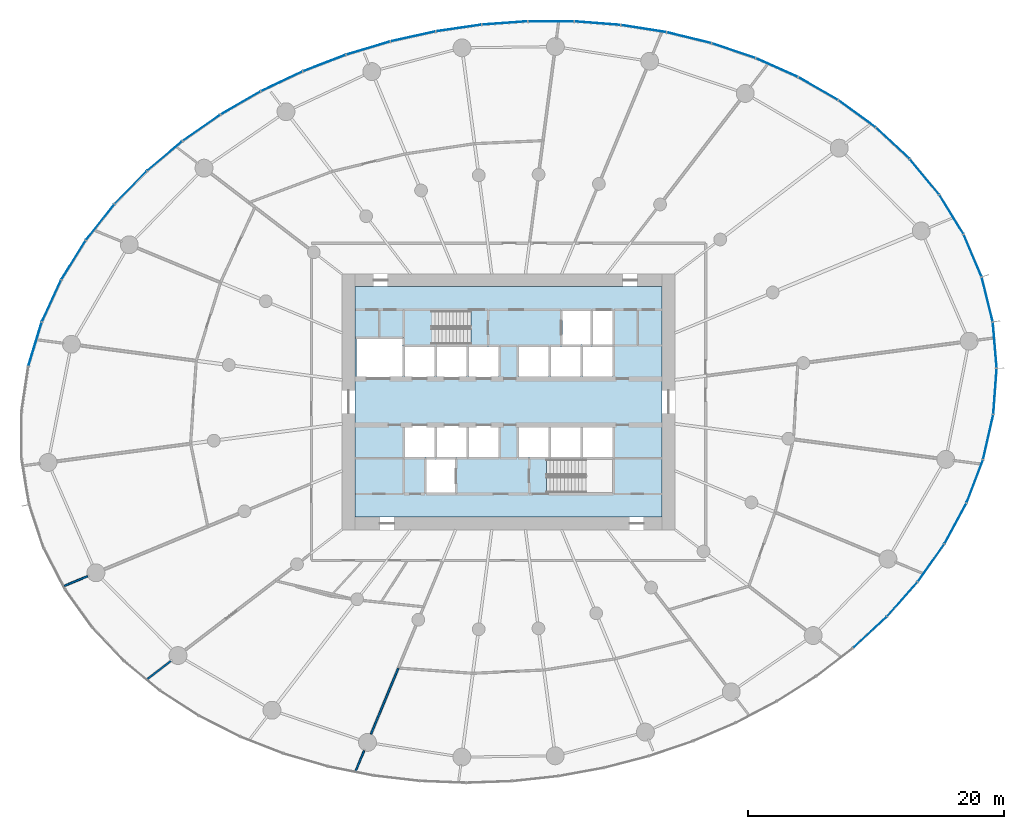
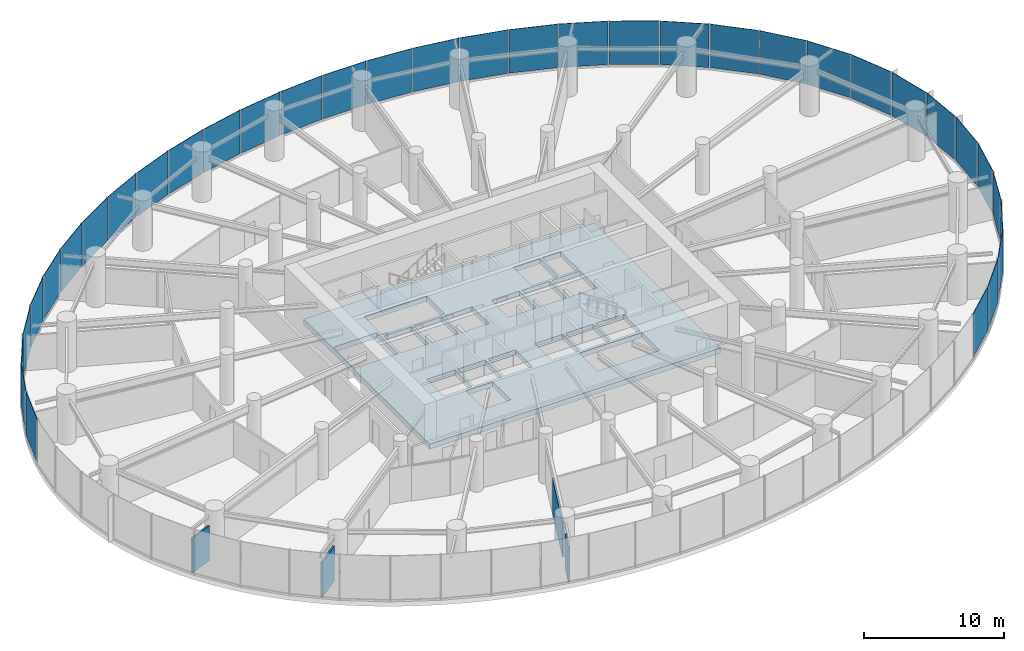
# One storey, part 11 of 19: 35 plates, 4 walls, 2 slabs, 8 elements without a shape of their own.
"""IFC4 building model written with IfcOpenShell, lengths in metres."""

from ifc_helpers import new_model, si_unit, direction, frame, frame_2d, origin, origin_2d, place, context, subcontext, project, spatial, line, indexed_curve, rectangle, outline, extrude, source, transform, mapped, material, layer, layer_set, type_object, element, aggregate, save


model = new_model("IFC4")

# Units and contexts
model_context = context("Model", 3, precision=1e-05, world=origin(), true_north=direction((0.0, 1.0)))
body_context = subcontext(model_context, "Body", "Model", "MODEL_VIEW")
ifc_project = project(units=[si_unit("LENGTHUNIT", "METRE"), si_unit("AREAUNIT", "SQUARE_METRE"), si_unit("VOLUMEUNIT", "CUBIC_METRE"), si_unit("PLANEANGLEUNIT", "RADIAN"), si_unit("MASSUNIT", "GRAM", prefix="KILO")], contexts=[model_context])

# Site, building, storey
site_placement = place(None, origin())
site = spatial("IfcSite", under=ifc_project, at=site_placement, CompositionType="ELEMENT")
building_placement = place(site_placement, origin())
building = spatial("IfcBuilding", under=site, at=building_placement, Name="Spindrift Exchange Tower", CompositionType="ELEMENT")
storey_placement = place(building_placement, frame((0.0, 0.0, 53.39990234375)))
storey = spatial("IfcBuildingStorey", under=building, at=storey_placement, Name="L12", CompositionType="ELEMENT", Elevation=53.39990234375)

# Slab
ifc_material_1 = material(Name="Concrete 50 MPa", Category="concrete")
ifc_layer_1 = layer(ifc_material_1, 0.449951171875)
ifc_layer_set_1 = layer_set([ifc_layer_1], Name="SL-CORE-FLOOR-450")
slab_type_1 = type_object("IfcSlabType", Name="SL-CORE-FLOOR-450", PredefinedType="FLOOR", material=ifc_layer_set_1)
slab_1_placement = place(storey_placement, frame((0.0, 0.0, -0.449951171875)))
element("IfcSlab", 1, at=slab_1_placement, inside=storey, type_object=slab_type_1, Name="L12 Core floor slab", PredefinedType="FLOOR", context=body_context, shape_type="SweptSolid", body=[
    extrude(outline(indexed_curve([(40.0, 39.0), (40.0, 57.0), (64.0, 57.0), (64.0, 39.0)], segments=[line(1, 2, 3, 4, 1)], self_intersect=False), holes=[indexed_curve([(47.800048828125, 43.5), (45.60009765625, 43.5), (45.60009765625, 40.89990234375), (47.800048828125, 40.89990234375)], segments=[line(1, 2, 3, 4, 1)], self_intersect=False), indexed_curve([(46.199951171875, 46.10009765625), (43.89990234375, 46.10009765625), (43.89990234375, 43.699951171875), (46.199951171875, 43.699951171875)], segments=[line(1, 2, 3, 4, 1)], self_intersect=False), indexed_curve([(48.699951171875, 46.10009765625), (46.39990234375, 46.10009765625), (46.39990234375, 43.699951171875), (48.699951171875, 43.699951171875)], segments=[line(1, 2, 3, 4, 1)], self_intersect=False), indexed_curve([(51.199951171875, 46.10009765625), (48.89990234375, 46.10009765625), (48.89990234375, 43.699951171875), (51.199951171875, 43.699951171875)], segments=[line(1, 2, 3, 4, 1)], self_intersect=False), indexed_curve([(46.199951171875, 52.300048828125), (43.89990234375, 52.300048828125), (43.89990234375, 49.89990234375), (46.199951171875, 49.89990234375)], segments=[line(1, 2, 3, 4, 1)], self_intersect=False), indexed_curve([(48.699951171875, 52.300048828125), (46.39990234375, 52.300048828125), (46.39990234375, 49.89990234375), (48.699951171875, 49.89990234375)], segments=[line(1, 2, 3, 4, 1)], self_intersect=False), indexed_curve([(51.199951171875, 52.300048828125), (48.89990234375, 52.300048828125), (48.89990234375, 49.89990234375), (51.199951171875, 49.89990234375)], segments=[line(1, 2, 3, 4, 1)], self_intersect=False), indexed_curve([(43.699951171875, 49.89990234375), (43.699951171875, 52.89990234375), (40.10009765625, 52.89990234375), (40.10009765625, 49.89990234375)], segments=[line(1, 2, 3, 4, 1)], self_intersect=False), indexed_curve([(49.0439453125, 55.093994140625), (43.906005859375, 55.093994140625), (43.906005859375, 52.506103515625), (49.0439453125, 52.506103515625)], segments=[line(1, 2, 3, 4, 1)], self_intersect=False), indexed_curve([(60.093994140625, 40.906005859375), (60.093994140625, 43.493896484375), (54.9560546875, 43.493896484375), (54.9560546875, 40.906005859375)], segments=[line(1, 2, 3, 4, 1)], self_intersect=False), indexed_curve([(55.10009765625, 46.10009765625), (52.800048828125, 46.10009765625), (52.800048828125, 43.699951171875), (55.10009765625, 43.699951171875)], segments=[line(1, 2, 3, 4, 1)], self_intersect=False), indexed_curve([(57.60009765625, 46.10009765625), (55.300048828125, 46.10009765625), (55.300048828125, 43.699951171875), (57.60009765625, 43.699951171875)], segments=[line(1, 2, 3, 4, 1)], self_intersect=False), indexed_curve([(60.10009765625, 46.10009765625), (57.800048828125, 46.10009765625), (57.800048828125, 43.699951171875), (60.10009765625, 43.699951171875)], segments=[line(1, 2, 3, 4, 1)], self_intersect=False), indexed_curve([(55.10009765625, 52.300048828125), (52.800048828125, 52.300048828125), (52.800048828125, 49.89990234375), (55.10009765625, 49.89990234375)], segments=[line(1, 2, 3, 4, 1)], self_intersect=False), indexed_curve([(57.60009765625, 52.300048828125), (55.300048828125, 52.300048828125), (55.300048828125, 49.89990234375), (57.60009765625, 49.89990234375)], segments=[line(1, 2, 3, 4, 1)], self_intersect=False), indexed_curve([(60.10009765625, 52.300048828125), (57.800048828125, 52.300048828125), (57.800048828125, 49.89990234375), (60.10009765625, 49.89990234375)], segments=[line(1, 2, 3, 4, 1)], self_intersect=False), indexed_curve([(58.39990234375, 52.5), (58.39990234375, 55.10009765625), (56.199951171875, 55.10009765625), (56.199951171875, 52.5)], segments=[line(1, 2, 3, 4, 1)], self_intersect=False), indexed_curve([(60.10009765625, 52.5), (60.10009765625, 55.10009765625), (58.60009765625, 55.10009765625), (58.60009765625, 52.5)], segments=[line(1, 2, 3, 4, 1)], self_intersect=False)]), origin(), (0.0, 0.0, 1.0), 0.449951171875),
])

# Stair, slab
stair_type = type_object("IfcStairType", Name="ST-1250-R183", PredefinedType="HALF_TURN_STAIR", material=ifc_material_1)
stair_placement = place(storey_placement, origin())
stair = element("IfcStair", 2, at=stair_placement, inside=storey, type_object=stair_type, Name="L12 Exit stair ST1", PredefinedType="HALF_TURN_STAIR")
ifc_layer_2 = layer(ifc_material_1, 0.199951171875)
ifc_layer_set_2 = layer_set([ifc_layer_2], Name="SL-LANDING")
slab_type_2 = type_object("IfcSlabType", Name="SL-LANDING", PredefinedType="LANDING", material=ifc_layer_set_2)
slab_2_placement = place(storey_placement, frame((0.0, 0.0, 2.0)))
slab_2 = element("IfcSlab", 3, at=slab_2_placement, type_object=slab_type_2, Name="ST1 landing 1", PredefinedType="LANDING", context=body_context, shape_type="SweptSolid", body=[
    extrude(outline(indexed_curve([(46.050048828125, 52.39990234375), (43.800048828125, 52.39990234375), (43.800048828125, 55.199951171875), (46.050048828125, 55.199951171875)], segments=[line(1, 2, 3, 4, 1)], self_intersect=False)), origin(), (0.0, 0.0, 1.0), 0.2001953125),
])
aggregate(stair, [slab_2])

# Curtain wall, plate
ifc_material_2 = material(Name="Fritted laminated glass with bronze frame", Category="glass")
ifc_layer_3 = layer(ifc_material_2, 0.199951171875)
ifc_layer_set_3 = layer_set([ifc_layer_3], Name="ZONE 1 BRONZE FRITTED WALL")
curtain_wall_type = type_object("IfcCurtainWallType", Name="ZONE 1 BRONZE FRITTED WALL", PredefinedType="NOTDEFINED", material=ifc_layer_set_3)
curtain_wall_1_placement = place(storey_placement, origin())
curtain_wall_1 = element("IfcCurtainWall", 4, at=curtain_wall_1_placement, inside=storey, type_object=curtain_wall_type, Name="L12 Zone 1 Bronze Fritted Wall run 5", PredefinedType="NOTDEFINED")
ifc_material_3 = material(Name="Bronze fritted laminated glass, dense frit", Category="glass")
ifc_layer_4 = layer(ifc_material_3, 0.035888671875)
ifc_layer_set_4 = layer_set([ifc_layer_4], Name="ZONE 1 BRONZE FRITTED WALL PANEL DENSE FRIT 180")
plate_type_1 = type_object("IfcPlateType", Name="ZONE 1 BRONZE FRITTED WALL PANEL DENSE FRIT 180", PredefinedType="CURTAIN_PANEL", material=ifc_layer_set_4)
shared_shape_1 = source(origin(), body_context, "Body", "SweptSolid", [
    extrude(rectangle(XDim=3.5458984375, YDim=0.035888671875, at=origin_2d()), origin(), (0.0, 0.0, 1.0), 3.800048828125),
])
plate_1_placement = place(storey_placement, frame((17.989501953125, 59.07080078125, 0.14990234375), z_axis=(0.0, 0.0, 1.0), x_axis=(-0.527683923122, -0.849440802692, 0.0)))
plate_1 = element("IfcPlate", 5, at=plate_1_placement, type_object=plate_type_1, Name="L12 panel CW-1.25", PredefinedType="CURTAIN_PANEL", context=body_context, shape_type="MappedRepresentation", body=[
    mapped(shared_shape_1, transform((0.0, 0.0, 0.0), scale=1.0)),
])

curtain_wall_2_placement = place(storey_placement, origin())
curtain_wall_2 = element("IfcCurtainWall", 6, at=curtain_wall_2_placement, inside=storey, type_object=curtain_wall_type, Name="L12 Zone 1 Bronze Fritted Wall run 10", PredefinedType="NOTDEFINED")
plate_2_placement = place(storey_placement, frame((86.91748046875, 38.49609375, 0.14990234375), z_axis=(0.0, 0.0, 1.0), x_axis=(0.474896325387, 0.880041749086, 0.0)))
plate_2 = element("IfcPlate", 7, at=plate_2_placement, type_object=plate_type_1, Name="L12 panel CW-1.55", PredefinedType="CURTAIN_PANEL", context=body_context, shape_type="MappedRepresentation", body=[
    mapped(shared_shape_1, transform((0.0, 0.0, 0.0), scale=1.0)),
])

curtain_wall_3_placement = place(storey_placement, origin())
curtain_wall_3 = element("IfcCurtainWall", 8, at=curtain_wall_3_placement, inside=storey, type_object=curtain_wall_type, Name="L12 Zone 1 Bronze Fritted Wall run 9", PredefinedType="NOTDEFINED")
ifc_layer_5 = layer(ifc_material_3, 0.035888671875)
ifc_layer_set_5 = layer_set([ifc_layer_5], Name="ZONE 1 BRONZE FRITTED WALL PANEL DENSE FRIT 300")
plate_type_2 = type_object("IfcPlateType", Name="ZONE 1 BRONZE FRITTED WALL PANEL DENSE FRIT 300", PredefinedType="CURTAIN_PANEL", material=ifc_layer_set_5)
shared_shape_2 = source(origin(), body_context, "Body", "SweptSolid", [
    extrude(rectangle(XDim=3.54638671875, YDim=0.035888671875, at=origin_2d()), origin(), (0.0, 0.0, 1.0), 3.800048828125),
])
plate_3_placement = place(storey_placement, frame((85.011474609375, 35.418701171875, 0.14990234375), z_axis=(0.0, 0.0, 1.0), x_axis=(0.576349594377, 0.817203245871, 0.0)))
plate_3 = element("IfcPlate", 9, at=plate_3_placement, type_object=plate_type_2, Name="L12 panel CW-1.54", PredefinedType="CURTAIN_PANEL", context=body_context, shape_type="MappedRepresentation", body=[
    mapped(shared_shape_2, transform((0.0, 0.0, 0.0), scale=1.0)),
])

curtain_wall_4_placement = place(storey_placement, origin())
curtain_wall_4 = element("IfcCurtainWall", 10, at=curtain_wall_4_placement, inside=storey, type_object=curtain_wall_type, Name="L12 Zone 1 Bronze Fritted Wall run 4", PredefinedType="NOTDEFINED")
shared_shape_3 = source(origin(), body_context, "Body", "SweptSolid", [
    extrude(rectangle(XDim=3.546875, YDim=0.035888671875, at=origin_2d()), origin(), (0.0, 0.0, 1.0), 3.800048828125),
])
plate_4_placement = place(storey_placement, frame((25.124267578125, 67.2109375, 0.14990234375), z_axis=(0.0, 0.0, 1.0), x_axis=(-0.765522518547, -0.643409102825, 0.0)))
plate_4 = element("IfcPlate", 11, at=plate_4_placement, type_object=plate_type_2, Name="L12 panel CW-1.22", PredefinedType="CURTAIN_PANEL", context=body_context, shape_type="MappedRepresentation", body=[
    mapped(shared_shape_3, transform((0.0, 0.0, 0.0), scale=1.0)),
])

# Plate
plate_5_placement = place(storey_placement, frame((80.23388671875, 29.988037109375, 0.14990234375), z_axis=(0.0, 0.0, 1.0), x_axis=(0.734115147297, 0.679024999914, 0.0)))
plate_5 = element("IfcPlate", 12, at=plate_5_placement, type_object=plate_type_2, Name="L12 panel CW-1.52", PredefinedType="CURTAIN_PANEL", context=body_context, shape_type="MappedRepresentation", body=[
    mapped(shared_shape_3, transform((0.0, 0.0, 0.0), scale=1.0)),
])

# Curtain wall, plate
curtain_wall_5_placement = place(storey_placement, origin())
curtain_wall_5 = element("IfcCurtainWall", 13, at=curtain_wall_5_placement, inside=storey, type_object=curtain_wall_type, Name="L12 Zone 1 Bronze Fritted Wall run 2", PredefinedType="NOTDEFINED")
ifc_layer_6 = layer(ifc_material_3, 0.035888671875)
ifc_layer_set_6 = layer_set([ifc_layer_6], Name="ZONE 1 BRONZE FRITTED WALL PANEL DENSE FRIT 420")
plate_type_3 = type_object("IfcPlateType", Name="ZONE 1 BRONZE FRITTED WALL PANEL DENSE FRIT 420", PredefinedType="CURTAIN_PANEL", material=ifc_layer_set_6)
shared_shape_4 = source(origin(), body_context, "Body", "SweptSolid", [
    extrude(rectangle(XDim=3.547119140625, YDim=0.035888671875, at=origin_2d()), origin(), (0.0, 0.0, 1.0), 3.800048828125),
])
plate_6_placement = place(storey_placement, frame((66.1025390625, 76.45361328125, 0.14990234375), z_axis=(0.0, 0.0, 1.0), x_axis=(-0.971579700575, 0.236712664281, 0.0)))
plate_6 = element("IfcPlate", 14, at=plate_6_placement, type_object=plate_type_3, Name="L12 panel CW-1.10", PredefinedType="CURTAIN_PANEL", context=body_context, shape_type="MappedRepresentation", body=[
    mapped(shared_shape_4, transform((0.0, 0.0, 0.0), scale=1.0)),
])

# Plate
plate_7_placement = place(storey_placement, frame((31.05810546875, 71.359619140625, 0.14990234375), z_axis=(0.0, 0.0, 1.0), x_axis=(-0.865787941428, -0.500411071498, 0.0)))
plate_7 = element("IfcPlate", 15, at=plate_7_placement, type_object=plate_type_3, Name="L12 panel CW-1.20", PredefinedType="CURTAIN_PANEL", context=body_context, shape_type="MappedRepresentation", body=[
    mapped(shared_shape_4, transform((0.0, 0.0, 0.0), scale=1.0)),
])

# Curtain wall, plates
curtain_wall_6_placement = place(storey_placement, origin())
curtain_wall_6 = element("IfcCurtainWall", 16, at=curtain_wall_6_placement, inside=storey, type_object=curtain_wall_type, Name="L12 Zone 1 Bronze Fritted Wall run 3", PredefinedType="NOTDEFINED")
shared_shape_5 = source(origin(), body_context, "Body", "SweptSolid", [
    extrude(rectangle(XDim=3.54736328125, YDim=0.035888671875, at=origin_2d()), origin(), (0.0, 0.0, 1.0), 3.800048828125),
])
plate_8_placement = place(storey_placement, frame((41.0283203125, 75.64501953125, 0.14990234375), z_axis=(0.0, 0.0, 1.0), x_axis=(-0.9577954075, -0.287450791217, 0.0)))
plate_8 = element("IfcPlate", 17, at=plate_8_placement, type_object=plate_type_2, Name="L12 panel CW-1.17", PredefinedType="CURTAIN_PANEL", context=body_context, shape_type="MappedRepresentation", body=[
    mapped(shared_shape_5, transform((0.0, 0.0, 0.0), scale=1.0)),
])
plate_9_placement = place(storey_placement, frame((37.597900390625, 74.473876953125, 0.14990234375), z_axis=(0.0, 0.0, 1.0), x_axis=(-0.933604192306, -0.358306031359, 0.0)))
plate_9 = element("IfcPlate", 18, at=plate_9_placement, type_object=plate_type_2, Name="L12 panel CW-1.18", PredefinedType="CURTAIN_PANEL", context=body_context, shape_type="MappedRepresentation", body=[
    mapped(shared_shape_5, transform((0.0, 0.0, 0.0), scale=1.0)),
])
shared_shape_6 = source(origin(), body_context, "Body", "SweptSolid", [
    extrude(rectangle(XDim=3.54736328125, YDim=0.035888671875, at=origin_2d()), origin(), (0.0, 0.0, 1.0), 3.800048828125),
])
plate_10_placement = place(storey_placement, frame((51.705078125, 77.60693359375, 0.14990234375), z_axis=(0.0, 0.0, 1.0), x_axis=(-0.997398054056, -0.072091065773, 0.0)))
plate_10 = element("IfcPlate", 19, at=plate_10_placement, type_object=plate_type_1, Name="L12 panel CW-1.14", PredefinedType="CURTAIN_PANEL", context=body_context, shape_type="MappedRepresentation", body=[
    mapped(shared_shape_6, transform((0.0, 0.0, 0.0), scale=1.0)),
])

# Plate
shared_shape_7 = source(origin(), body_context, "Body", "SweptSolid", [
    extrude(rectangle(XDim=3.54736328125, YDim=0.035888671875, at=origin_2d()), origin(), (0.0, 0.0, 1.0), 3.800048828125),
])
plate_11_placement = place(storey_placement, frame((62.549072265625, 77.165771484375, 0.14990234375), z_axis=(0.0, 0.0, 1.0), x_axis=(-0.987772291015, 0.155903499327, 0.0)))
plate_11 = element("IfcPlate", 20, at=plate_11_placement, type_object=plate_type_3, Name="L12 panel CW-1.11", PredefinedType="CURTAIN_PANEL", context=body_context, shape_type="MappedRepresentation", body=[
    mapped(shared_shape_7, transform((0.0, 0.0, 0.0), scale=1.0)),
])

plate_12_placement = place(storey_placement, frame((58.94970703125, 77.589599609375, 0.14990234375), z_axis=(0.0, 0.0, 1.0), x_axis=(-0.996969014732, 0.077799637946, 0.0)))
plate_12 = element("IfcPlate", 21, at=plate_12_placement, type_object=plate_type_3, Name="L12 panel CW-1.12", PredefinedType="CURTAIN_PANEL", context=body_context, shape_type="MappedRepresentation", body=[
    mapped(shared_shape_7, transform((0.0, 0.0, 0.0), scale=1.0)),
])

plate_13_placement = place(storey_placement, frame((55.32763671875, 77.734130859375, 0.14990234375), z_axis=(0.0, 0.0, 1.0), x_axis=(-0.999998136906, 0.001930332954, 0.0)))
plate_13 = element("IfcPlate", 22, at=plate_13_placement, type_object=plate_type_3, Name="L12 panel CW-1.13", PredefinedType="CURTAIN_PANEL", context=body_context, shape_type="MappedRepresentation", body=[
    mapped(shared_shape_7, transform((0.0, 0.0, 0.0), scale=1.0)),
])

plate_14_placement = place(storey_placement, frame((44.5361328125, 76.558837890625, 0.14990234375), z_axis=(0.0, 0.0, 1.0), x_axis=(-0.976314136097, -0.216357823196, 0.0)))
plate_14 = element("IfcPlate", 23, at=plate_14_placement, type_object=plate_type_3, Name="L12 panel CW-1.16", PredefinedType="CURTAIN_PANEL", context=body_context, shape_type="MappedRepresentation", body=[
    mapped(shared_shape_7, transform((0.0, 0.0, 0.0), scale=1.0)),
])

plate_15_placement = place(storey_placement, frame((34.2666015625, 73.04541015625, 0.14990234375), z_axis=(0.0, 0.0, 1.0), x_axis=(-0.903201992592, -0.429215750616, 0.0)))
plate_15 = element("IfcPlate", 24, at=plate_15_placement, type_object=plate_type_3, Name="L12 panel CW-1.19", PredefinedType="CURTAIN_PANEL", context=body_context, shape_type="MappedRepresentation", body=[
    mapped(shared_shape_7, transform((0.0, 0.0, 0.0), scale=1.0)),
])

shared_shape_8 = source(origin(), body_context, "Body", "SweptSolid", [
    extrude(rectangle(XDim=3.547119140625, YDim=0.035888671875, at=origin_2d()), origin(), (0.0, 0.0, 1.0), 3.800048828125),
])
plate_16_placement = place(storey_placement, frame((28.000244140625, 69.414794921875, 0.14990234375), z_axis=(0.0, 0.0, 1.0), x_axis=(-0.820341561532, -0.571873869331, 0.0)))
plate_16 = element("IfcPlate", 25, at=plate_16_placement, type_object=plate_type_1, Name="L12 panel CW-1.21", PredefinedType="CURTAIN_PANEL", context=body_context, shape_type="MappedRepresentation", body=[
    mapped(shared_shape_8, transform((0.0, 0.0, 0.0), scale=1.0)),
])

shared_shape_9 = source(origin(), body_context, "Body", "SweptSolid", [
    extrude(rectangle(XDim=3.546875, YDim=0.035888671875, at=origin_2d()), origin(), (0.0, 0.0, 1.0), 3.800048828125),
])
plate_17_placement = place(storey_placement, frame((72.956298828125, 74.123291015625, 0.14990234375), z_axis=(0.0, 0.0, 1.0), x_axis=(-0.913257013232, 0.407383882576, 0.0)))
plate_17 = element("IfcPlate", 26, at=plate_17_placement, type_object=plate_type_3, Name="L12 panel CW-1.8", PredefinedType="CURTAIN_PANEL", context=body_context, shape_type="MappedRepresentation", body=[
    mapped(shared_shape_9, transform((0.0, 0.0, 0.0), scale=1.0)),
])

shared_shape_10 = source(origin(), body_context, "Body", "SweptSolid", [
    extrude(rectangle(XDim=3.546630859375, YDim=0.035888671875, at=origin_2d()), origin(), (0.0, 0.0, 1.0), 3.800048828125),
])
plate_18_placement = place(storey_placement, frame((76.185791015625, 72.48291015625, 0.14990234375), z_axis=(0.0, 0.0, 1.0), x_axis=(-0.867674363563, 0.497132979007, 0.0)))
plate_18 = element("IfcPlate", 27, at=plate_18_placement, type_object=plate_type_1, Name="L12 panel CW-1.7", PredefinedType="CURTAIN_PANEL", context=body_context, shape_type="MappedRepresentation", body=[
    mapped(shared_shape_10, transform((0.0, 0.0, 0.0), scale=1.0)),
])

shared_shape_11 = source(origin(), body_context, "Body", "SweptSolid", [
    extrude(rectangle(XDim=3.545654296875, YDim=0.035888671875, at=origin_2d()), origin(), (0.0, 0.0, 1.0), 3.800048828125),
])
plate_19_placement = place(storey_placement, frame((16.275146484375, 55.884033203125, 0.14990234375), z_axis=(0.0, 0.0, 1.0), x_axis=(-0.417940012166, -0.90847462608, 0.0)))
plate_19 = element("IfcPlate", 28, at=plate_19_placement, type_object=plate_type_1, Name="L12 panel CW-1.26", PredefinedType="CURTAIN_PANEL", context=body_context, shape_type="MappedRepresentation", body=[
    mapped(shared_shape_11, transform((0.0, 0.0, 0.0), scale=1.0)),
])

# Curtain wall, plate
curtain_wall_7_placement = place(storey_placement, origin())
curtain_wall_7 = element("IfcCurtainWall", 29, at=curtain_wall_7_placement, inside=storey, type_object=curtain_wall_type, Name="L12 Zone 1 Bronze Fritted Wall run 1", PredefinedType="NOTDEFINED")
shared_shape_12 = source(origin(), body_context, "Body", "SweptSolid", [
    extrude(rectangle(XDim=3.54443359375, YDim=0.035888671875, at=origin_2d()), origin(), (0.0, 0.0, 1.0), 3.800048828125),
])
plate_20_placement = place(storey_placement, frame((89.402587890625, 55.998291015625, 0.14990234375), z_axis=(0.0, 0.0, 1.0), x_axis=(-0.240756603434, 0.97058552323, 0.0)))
plate_20 = element("IfcPlate", 30, at=plate_20_placement, type_object=plate_type_2, Name="L12 panel CW-1.1", PredefinedType="CURTAIN_PANEL", context=body_context, shape_type="MappedRepresentation", body=[
    mapped(shared_shape_12, transform((0.0, 0.0, 0.0), scale=1.0)),
])

# Plate
plate_21_placement = place(storey_placement, frame((89.990478515625, 52.43359375, 0.14990234375), z_axis=(0.0, 0.0, 1.0), x_axis=(-0.083599578708, 0.996499428219, 0.0)))
plate_21 = element("IfcPlate", 31, at=plate_21_placement, type_object=plate_type_2, Name="L12 panel CW-1.59", PredefinedType="CURTAIN_PANEL", context=body_context, shape_type="MappedRepresentation", body=[
    mapped(shared_shape_12, transform((0.0, 0.0, 0.0), scale=1.0)),
])

shared_shape_13 = source(origin(), body_context, "Body", "SweptSolid", [
    extrude(rectangle(XDim=3.544921875, YDim=0.035888671875, at=origin_2d()), origin(), (0.0, 0.0, 1.0), 3.800048828125),
])
plate_22_placement = place(storey_placement, frame((86.605712890625, 62.639892578125, 0.14990234375), z_axis=(0.0, 0.0, 1.0), x_axis=(-0.523260282562, 0.852172914785, 0.0)))
plate_22 = element("IfcPlate", 32, at=plate_22_placement, type_object=plate_type_3, Name="L12 panel CW-1.3", PredefinedType="CURTAIN_PANEL", context=body_context, shape_type="MappedRepresentation", body=[
    mapped(shared_shape_13, transform((0.0, 0.0, 0.0), scale=1.0)),
])

plate_23_placement = place(storey_placement, frame((89.473876953125, 45.24560546875, 0.14990234375), z_axis=(0.0, 0.0, 1.0), x_axis=(0.221956947777, 0.975056466741, 0.0)))
plate_23 = element("IfcPlate", 33, at=plate_23_placement, type_object=plate_type_3, Name="L12 panel CW-1.57", PredefinedType="CURTAIN_PANEL", context=body_context, shape_type="MappedRepresentation", body=[
    mapped(shared_shape_13, transform((0.0, 0.0, 0.0), scale=1.0)),
])

shared_shape_14 = source(origin(), body_context, "Body", "SweptSolid", [
    extrude(rectangle(XDim=3.545166015625, YDim=0.035888671875, at=origin_2d()), origin(), (0.0, 0.0, 1.0), 3.800048828125),
])
plate_24_placement = place(storey_placement, frame((14.989501953125, 52.503173828125, 0.14990234375), z_axis=(0.0, 0.0, 1.0), x_axis=(-0.291293302052, -0.956633792096, 0.0)))
plate_24 = element("IfcPlate", 34, at=plate_24_placement, type_object=plate_type_2, Name="L12 panel CW-1.27", PredefinedType="CURTAIN_PANEL", context=body_context, shape_type="MappedRepresentation", body=[
    mapped(shared_shape_14, transform((0.0, 0.0, 0.0), scale=1.0)),
])

aggregate(curtain_wall_1, [plate_1, plate_19, plate_24])

shared_shape_15 = source(origin(), body_context, "Body", "SweptSolid", [
    extrude(rectangle(XDim=3.5458984375, YDim=0.035888671875, at=origin_2d()), origin(), (0.0, 0.0, 1.0), 3.800048828125),
])
plate_25_placement = place(storey_placement, frame((82.017578125, 68.21142578125, 0.14990234375), z_axis=(0.0, 0.0, 1.0), x_axis=(-0.732317122925, 0.680963751951, 0.0)))
plate_25 = element("IfcPlate", 35, at=plate_25_placement, type_object=plate_type_3, Name="L12 panel CW-1.5", PredefinedType="CURTAIN_PANEL", context=body_context, shape_type="MappedRepresentation", body=[
    mapped(shared_shape_15, transform((0.0, 0.0, 0.0), scale=1.0)),
])

shared_shape_16 = source(origin(), body_context, "Body", "SweptSolid", [
    extrude(rectangle(XDim=3.546875, YDim=0.035888671875, at=origin_2d()), origin(), (0.0, 0.0, 1.0), 3.800048828125),
])
plate_26_placement = place(storey_placement, frame((69.58251953125, 75.443115234375, 0.14990234375), z_axis=(0.0, 0.0, 1.0), x_axis=(-0.94725111905, 0.320492304836, 0.0)))
plate_26 = element("IfcPlate", 36, at=plate_26_placement, type_object=plate_type_1, Name="L12 panel CW-1.9", PredefinedType="CURTAIN_PANEL", context=body_context, shape_type="MappedRepresentation", body=[
    mapped(shared_shape_16, transform((0.0, 0.0, 0.0), scale=1.0)),
])

aggregate(curtain_wall_5, [plate_18, plate_17, plate_26, plate_6, plate_11, plate_12])

shared_shape_17 = source(origin(), body_context, "Body", "SweptSolid", [
    extrude(rectangle(XDim=3.544677734375, YDim=0.035888671875, at=origin_2d()), origin(), (0.0, 0.0, 1.0), 3.800048828125),
])
plate_27_placement = place(storey_placement, frame((88.26025390625, 59.42626953125, 0.14990234375), z_axis=(0.0, 0.0, 1.0), x_axis=(-0.389636769018, 0.920968614139, 0.0)))
plate_27 = element("IfcPlate", 37, at=plate_27_placement, type_object=plate_type_2, Name="L12 panel CW-1.2", PredefinedType="CURTAIN_PANEL", context=body_context, shape_type="MappedRepresentation", body=[
    mapped(shared_shape_17, transform((0.0, 0.0, 0.0), scale=1.0)),
])

shared_shape_18 = source(origin(), body_context, "Body", "SweptSolid", [
    extrude(rectangle(XDim=3.54541015625, YDim=0.035888671875, at=origin_2d()), origin(), (0.0, 0.0, 1.0), 3.800048828125),
])
plate_28_placement = place(storey_placement, frame((84.501220703125, 65.580810546875, 0.14990234375), z_axis=(0.0, 0.0, 1.0), x_axis=(-0.637756095935, 0.770238380047, 0.0)))
plate_28 = element("IfcPlate", 38, at=plate_28_placement, type_object=plate_type_3, Name="L12 panel CW-1.4", PredefinedType="CURTAIN_PANEL", context=body_context, shape_type="MappedRepresentation", body=[
    mapped(shared_shape_18, transform((0.0, 0.0, 0.0), scale=1.0)),
])

plate_29_placement = place(storey_placement, frame((88.425048828125, 41.784912109375, 0.14990234375), z_axis=(0.0, 0.0, 1.0), x_axis=(0.35670701973, 0.934216303687, 0.0)))
plate_29 = element("IfcPlate", 39, at=plate_29_placement, type_object=plate_type_3, Name="L12 panel CW-1.56", PredefinedType="CURTAIN_PANEL", context=body_context, shape_type="MappedRepresentation", body=[
    mapped(shared_shape_18, transform((0.0, 0.0, 0.0), scale=1.0)),
])

shared_shape_19 = source(origin(), body_context, "Body", "SweptSolid", [
    extrude(rectangle(XDim=3.54638671875, YDim=0.035888671875, at=origin_2d()), origin(), (0.0, 0.0, 1.0), 3.800048828125),
])
plate_30_placement = place(storey_placement, frame((79.224609375, 70.513916015625, 0.14990234375), z_axis=(0.0, 0.0, 1.0), x_axis=(-0.808187280122, 0.588925564268, 0.0)))
plate_30 = element("IfcPlate", 40, at=plate_30_placement, type_object=plate_type_3, Name="L12 panel CW-1.6", PredefinedType="CURTAIN_PANEL", context=body_context, shape_type="MappedRepresentation", body=[
    mapped(shared_shape_19, transform((0.0, 0.0, 0.0), scale=1.0)),
])

aggregate(curtain_wall_7, [plate_20, plate_27, plate_22, plate_28, plate_25, plate_30])

plate_31_placement = place(storey_placement, frame((20.072509765625, 62.031982421875, 0.14990234375), z_axis=(0.0, 0.0, 1.0), x_axis=(-0.621079387757, -0.783747659711, 0.0)))
plate_31 = element("IfcPlate", 41, at=plate_31_placement, type_object=plate_type_3, Name="L12 panel CW-1.24", PredefinedType="CURTAIN_PANEL", context=body_context, shape_type="MappedRepresentation", body=[
    mapped(shared_shape_19, transform((0.0, 0.0, 0.0), scale=1.0)),
])

plate_32_placement = place(storey_placement, frame((82.765869140625, 32.578125, 0.14990234375), z_axis=(0.0, 0.0, 1.0), x_axis=(0.662121868333, 0.749396177916, 0.0)))
plate_32 = element("IfcPlate", 42, at=plate_32_placement, type_object=plate_type_3, Name="L12 panel CW-1.53", PredefinedType="CURTAIN_PANEL", context=body_context, shape_type="MappedRepresentation", body=[
    mapped(shared_shape_19, transform((0.0, 0.0, 0.0), scale=1.0)),
])

aggregate(curtain_wall_3, [plate_5, plate_32, plate_3])

shared_shape_20 = source(origin(), body_context, "Body", "SweptSolid", [
    extrude(rectangle(XDim=3.546630859375, YDim=0.035888671875, at=origin_2d()), origin(), (0.0, 0.0, 1.0), 3.800048828125),
])
plate_33_placement = place(storey_placement, frame((22.46728515625, 64.748779296875, 0.14990234375), z_axis=(0.0, 0.0, 1.0), x_axis=(-0.699705736944, -0.714431159516, 0.0)))
plate_33 = element("IfcPlate", 43, at=plate_33_placement, type_object=plate_type_3, Name="L12 panel CW-1.23", PredefinedType="CURTAIN_PANEL", context=body_context, shape_type="MappedRepresentation", body=[
    mapped(shared_shape_20, transform((0.0, 0.0, 0.0), scale=1.0)),
])

aggregate(curtain_wall_4, [plate_15, plate_7, plate_16, plate_4, plate_33, plate_31])

shared_shape_21 = source(origin(), body_context, "Body", "SweptSolid", [
    extrude(rectangle(XDim=3.544677734375, YDim=0.035888671875, at=origin_2d()), origin(), (0.0, 0.0, 1.0), 3.800048828125),
])
plate_34_placement = place(storey_placement, frame((90.009033203125, 48.8203125, 0.14990234375), z_axis=(0.0, 0.0, 1.0), x_axis=(0.073332191477, 0.997307570258, 0.0)))
plate_34 = element("IfcPlate", 44, at=plate_34_placement, type_object=plate_type_1, Name="L12 panel CW-1.58", PredefinedType="CURTAIN_PANEL", context=body_context, shape_type="MappedRepresentation", body=[
    mapped(shared_shape_21, transform((0.0, 0.0, 0.0), scale=1.0)),
])

aggregate(curtain_wall_2, [plate_2, plate_29, plate_23, plate_34, plate_21])

shared_shape_22 = source(origin(), body_context, "Body", "SweptSolid", [
    extrude(rectangle(XDim=3.547607421875, YDim=0.035888671875, at=origin_2d()), origin(), (0.0, 0.0, 1.0), 3.800048828125),
])
plate_35_placement = place(storey_placement, frame((48.101318359375, 77.213623046875, 0.14990234375), z_axis=(0.0, 0.0, 1.0), x_axis=(-0.989471550346, -0.144727506215, 0.0)))
plate_35 = element("IfcPlate", 45, at=plate_35_placement, type_object=plate_type_3, Name="L12 panel CW-1.15", PredefinedType="CURTAIN_PANEL", context=body_context, shape_type="MappedRepresentation", body=[
    mapped(shared_shape_22, transform((0.0, 0.0, 0.0), scale=1.0)),
])

aggregate(curtain_wall_6, [plate_13, plate_10, plate_35, plate_14, plate_8, plate_9])

# Walls
ifc_material_4 = material(Name="Fire-rated plasterboard partition", Category="gypsum")
ifc_layer_7 = layer(ifc_material_4, 0.139892578125)
ifc_layer_set_7 = layer_set([ifc_layer_7], Name="W-PART-140")
wall_type = type_object("IfcWallType", Name="W-PART-140", PredefinedType="PARTITIONING", material=ifc_layer_set_7)
wall_1_placement = place(storey_placement, frame((43.37255859375, 27.17138671875, 0.0), z_axis=(0.0, 0.0, 1.0), x_axis=(-0.382670118501, -0.923885047182, 0.0)))
element("IfcWall", 46, at=wall_1_placement, inside=storey, type_object=wall_type, Name="L12 Partition wall 90", PredefinedType="PARTITIONING", context=body_context, shape_type="SweptSolid", body=[
    extrude(rectangle(XDim=5.554443359375, YDim=0.139892578125, at=frame_2d((2.77734375, 0.0))), origin(), (0.0, 0.0, 1.0), 3.050048828125),
])
wall_2_placement = place(storey_placement, frame((25.605712890625, 27.746826171875, 0.0), z_axis=(0.0, 0.0, 1.0), x_axis=(-0.793384830347, -0.608720388172, 0.0)))
element("IfcWall", 47, at=wall_2_placement, inside=storey, type_object=wall_type, Name="L12 Partition wall 111", PredefinedType="PARTITIONING", context=body_context, shape_type="SweptSolid", body=[
    extrude(rectangle(XDim=2.32421875, YDim=0.139892578125, at=frame_2d((1.162109375, 0.0))), origin(), (0.0, 0.0, 1.0), 3.050048828125),
])
wall_3_placement = place(storey_placement, frame((19.099853515625, 34.372314453125, 0.0), z_axis=(0.0, 0.0, 1.0), x_axis=(-0.923874199787, -0.382696306447, 0.0)))
element("IfcWall", 48, at=wall_3_placement, inside=storey, type_object=wall_type, Name="L12 Partition wall 122", PredefinedType="PARTITIONING", context=body_context, shape_type="SweptSolid", body=[
    extrude(rectangle(XDim=1.9609375, YDim=0.139892578125, at=frame_2d((0.98046875, 0.0))), origin(), (0.0, 0.0, 1.0), 3.050048828125),
])
wall_4_placement = place(storey_placement, frame((40.70751953125, 20.7373046875, 0.0), z_axis=(0.0, 0.0, 1.0), x_axis=(-0.382632674553, -0.923900555452, 0.0)))
element("IfcWall", 49, at=wall_4_placement, inside=storey, type_object=wall_type, Name="L12 Partition wall 125", PredefinedType="PARTITIONING", context=body_context, shape_type="SweptSolid", body=[
    extrude(rectangle(XDim=1.71435546875, YDim=0.139892578125, at=frame_2d((0.857177734375, 0.0))), origin(), (0.0, 0.0, 1.0), 3.050048828125),
])

save(model, "model.ifc")
